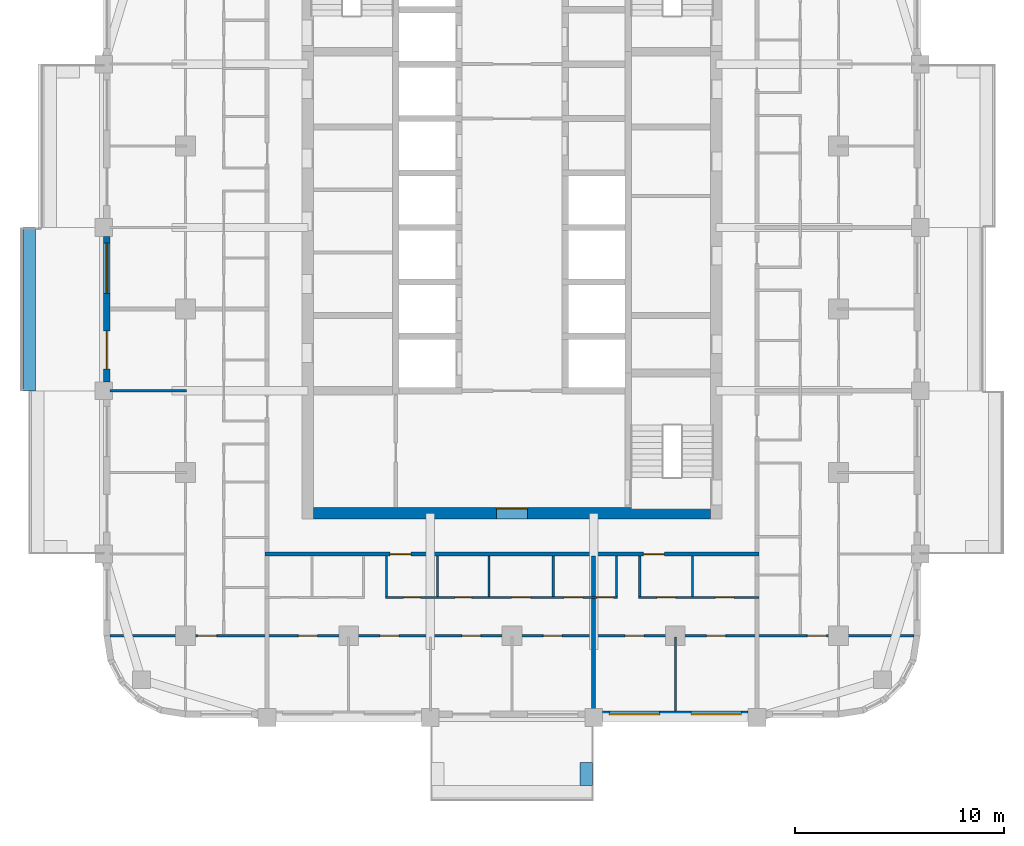
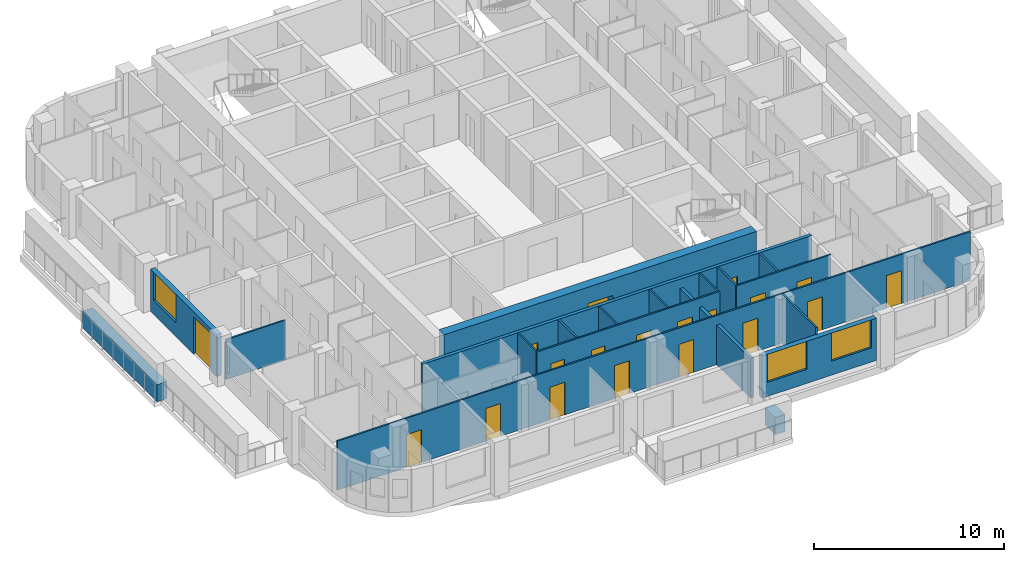
# One storey, part 3 of 14: 19 doors, 19 walls, 3 windows, 22 openings.
"""IFC4 building model written with IfcOpenShell, lengths in metres."""

from ifc_helpers import new_model, si_unit, direction, frame, frame_2d, origin, place, context, subcontext, project, spatial, rectangle, extrude, material, layer, layer_set, type_object, element, fill, save


model = new_model("IFC4")

# Units and contexts
model_context = context("Model", 3, precision=1e-05, world=origin(), true_north=direction((0.0, 1.0)))
body_context = subcontext(model_context, "Body", "Model", "MODEL_VIEW")
ifc_project = project(units=[si_unit("LENGTHUNIT", "METRE"), si_unit("AREAUNIT", "SQUARE_METRE"), si_unit("VOLUMEUNIT", "CUBIC_METRE"), si_unit("PLANEANGLEUNIT", "RADIAN"), si_unit("MASSUNIT", "GRAM", prefix="KILO")], contexts=[model_context])

# Site, building, storey
site_placement = place(None, origin())
site = spatial("IfcSite", under=ifc_project, at=site_placement, CompositionType="ELEMENT")
building_placement = place(site_placement, origin())
building = spatial("IfcBuilding", under=site, at=building_placement, Name="Ludao Terraces", CompositionType="ELEMENT")
storey_placement = place(building_placement, frame((0.0, 0.0, 99.89990234375)))
storey = spatial("IfcBuildingStorey", under=building, at=storey_placement, Name="L27", CompositionType="ELEMENT", Elevation=99.89990234375)

# Wall, opening, door
ifc_material_1 = material(Name="Concrete C60", Category="concrete")
ifc_layer_1 = layer(ifc_material_1, 0.550048828125)
ifc_layer_set_1 = layer_set([ifc_layer_1], Name="Core wall 550 C60")
wall_type_1 = type_object("IfcWallType", Name="Core wall 550 C60", PredefinedType="SOLIDWALL", material=ifc_layer_set_1)
wall_1_placement = place(storey_placement, frame((75.52490234375, 55.25, -0.2998046875), z_axis=(0.0, 0.0, 1.0), x_axis=(1.0, 0.0, 0.0)))
wall_1 = element("IfcWall", 1, at=wall_1_placement, inside=storey, type_object=wall_type_1, Name="Core wall L27 outer-S", PredefinedType="SOLIDWALL", context=body_context, shape_type="SweptSolid", body=[
    extrude(rectangle(XDim=18.9501953125, YDim=0.550048828125, at=frame_2d((9.47509765625, 0.0))), origin(), (0.0, 0.0, 1.0), 3.449951171875),
])
opening_1_placement = place(wall_1_placement, frame((8.72509765625, 0.0, 0.300048828125)))
opening_1 = element("IfcOpeningElement", 2, at=opening_1_placement, cuts=wall_1, Name="Opening R08-029", PredefinedType="OPENING", context=body_context, shape_type="SweptSolid", body=[
    extrude(rectangle(XDim=1.5, YDim=2.10009765625, at=frame_2d((0.75, 1.050048828125))), frame((0.0, 0.28515625, 0.0), z_axis=(0.0, -1.0, 0.0), x_axis=(1.0, 0.0, 0.0)), (0.0, 0.0, 1.0), 0.570068359375),
])
ifc_material_2 = material(Name="Steel Q235", Category="steel")
door_type_1 = type_object("IfcDoorType", Name="INT Lobby door 1500", OperationType="DOUBLE_DOOR_SINGLE_SWING", PredefinedType="DOOR", material=ifc_material_2)
door_1_placement = place(opening_1_placement, origin())
door_1 = element("IfcDoor", 3, at=door_1_placement, inside=storey, type_object=door_type_1, Name="DOOR 029", OperationType="DOUBLE_DOOR_SINGLE_SWING", OverallHeight=2.10009765625, OverallWidth=1.5, PredefinedType="DOOR", context=body_context, shape_type="SweptSolid", body=[
    extrude(rectangle(XDim=1.5, YDim=2.10009765625, at=frame_2d((0.75, 1.050048828125))), frame((0.0, 0.26025390625, 0.0), z_axis=(0.0, -1.0, 0.0), x_axis=(1.0, 0.0, 0.0)), (0.0, 0.0, 1.0), 0.050048828125),
])
fill(opening_1, door_1)

# Walls
ifc_material_3 = material(Name="Concrete C40", Category="concrete")
ifc_layer_2 = layer(ifc_material_3, 0.60009765625)
ifc_layer_set_2 = layer_set([ifc_layer_2], Name="ENV Planter trough 600")
wall_type_2 = type_object("IfcWallType", Name="ENV Planter trough 600", PredefinedType="USERDEFINED", material=ifc_layer_set_2)
wall_2_placement = place(storey_placement, frame((88.550048828125, 42.25, 0.0), z_axis=(0.0, 0.0, 1.0), x_axis=(0.0, 1.0, 0.0)))
element("IfcWall", 4, at=wall_2_placement, inside=storey, type_object=wall_type_2, Name="PL-L27-S1-SB", ObjectType="PLANTER", PredefinedType="USERDEFINED", context=body_context, shape_type="SweptSolid", body=[
    extrude(rectangle(XDim=1.10009765625, YDim=0.60009765625, at=frame_2d((0.550048828125, 0.0))), origin(), (0.0, 0.0, 1.0), 1.10009765625),
])
wall_3_placement = place(storey_placement, frame((61.949951171875, 61.10009765625, 0.0), z_axis=(0.0, 0.0, 1.0), x_axis=(0.0, 1.0, 0.0)))
element("IfcWall", 5, at=wall_3_placement, inside=storey, type_object=wall_type_2, Name="PL-L27-W2", ObjectType="PLANTER", PredefinedType="USERDEFINED", context=body_context, shape_type="SweptSolid", body=[
    extrude(rectangle(XDim=7.7998046875, YDim=0.60009765625, at=frame_2d((3.89990234375, 0.0))), origin(), (0.0, 0.0, 1.0), 1.10009765625),
])

# Wall, openings, windows
ifc_material_4 = material(Name="Granite cladding", Category="masonry")
ifc_layer_3 = layer(ifc_material_4, 0.0400390625, Category="stone")
ifc_material_5 = material(Name="Mineral wool")
ifc_layer_4 = layer(ifc_material_5, 0.06005859375)
ifc_layer_5 = layer(ifc_material_3, 0.199951171875, Category="concrete")
ifc_layer_set_3 = layer_set([ifc_layer_3, ifc_layer_4, ifc_layer_5], Name="ENV Stone-clad wall 300")
wall_type_3 = type_object("IfcWallType", Name="ENV Stone-clad wall 300", PredefinedType="SOLIDWALL", material=ifc_layer_set_3)
wall_4_placement = place(storey_placement, frame((89.324951171875, 45.64990234375, 0.0), z_axis=(0.0, 0.0, 1.0), x_axis=(1.0, 0.0, 0.0)))
wall_4 = element("IfcWall", 6, at=wall_4_placement, inside=storey, type_object=wall_type_3, Name="EW-L27-S4", PredefinedType="SOLIDWALL", context=body_context, shape_type="SweptSolid", body=[
    extrude(rectangle(XDim=6.949951171875, YDim=0.300048828125, at=frame_2d((3.47509765625, 0.0))), origin(), (0.0, 0.0, 1.0), 2.7001953125),
])
opening_2_placement = place(wall_4_placement, frame((0.324951171875, 0.0, 0.89990234375)))
opening_2 = element("IfcOpeningElement", 7, at=opening_2_placement, cuts=wall_4, Name="Opening W1", PredefinedType="OPENING", context=body_context, shape_type="SweptSolid", body=[
    extrude(rectangle(XDim=2.39990234375, YDim=1.800048828125, at=frame_2d((1.199951171875, 0.89990234375))), frame((0.0, 0.16015625, 0.0), z_axis=(0.0, -1.0, 0.0), x_axis=(1.0, 0.0, 0.0)), (0.0, 0.0, 1.0), 0.320068359375),
])
opening_3_placement = place(wall_4_placement, frame((4.22509765625, 0.0, 0.89990234375)))
opening_3 = element("IfcOpeningElement", 8, at=opening_3_placement, cuts=wall_4, Name="Opening W1", PredefinedType="OPENING", context=body_context, shape_type="SweptSolid", body=[
    extrude(rectangle(XDim=2.39990234375, YDim=1.800048828125, at=frame_2d((1.199951171875, 0.89990234375))), frame((0.0, 0.16015625, 0.0), z_axis=(0.0, -1.0, 0.0), x_axis=(1.0, 0.0, 0.0)), (0.0, 0.0, 1.0), 0.320068359375),
])
ifc_material_6 = material(Name="Clear glass in aluminium frame", Category="aluminium")
ifc_layer_6 = layer(ifc_material_6, 0.06005859375)
ifc_layer_set_4 = layer_set([ifc_layer_6], Name="ENV Window W1 2400x1800")
window_type = type_object("IfcWindowType", Name="ENV Window W1 2400x1800", PartitioningType="DOUBLE_PANEL_VERTICAL", PredefinedType="WINDOW", material=ifc_layer_set_4)
window_1_placement = place(opening_2_placement, origin())
window_1 = element("IfcWindow", 9, at=window_1_placement, inside=storey, type_object=window_type, Name="W-L27-S4-1", OverallHeight=1.800048828125, OverallWidth=2.39990234375, PartitioningType="DOUBLE_PANEL_VERTICAL", PredefinedType="WINDOW", context=body_context, shape_type="SweptSolid", body=[
    extrude(rectangle(XDim=2.39990234375, YDim=1.800048828125, at=frame_2d((1.199951171875, 0.89990234375))), frame((0.0, 0.030029296875, 0.0), z_axis=(0.0, -1.0, 0.0), x_axis=(1.0, 0.0, 0.0)), (0.0, 0.0, 1.0), 0.06005859375),
])
fill(opening_2, window_1)
window_2_placement = place(opening_3_placement, origin())
window_2 = element("IfcWindow", 10, at=window_2_placement, inside=storey, type_object=window_type, Name="W-L27-S4-2", OverallHeight=1.800048828125, OverallWidth=2.39990234375, PartitioningType="DOUBLE_PANEL_VERTICAL", PredefinedType="WINDOW", context=body_context, shape_type="SweptSolid", body=[
    extrude(rectangle(XDim=2.39990234375, YDim=1.800048828125, at=frame_2d((1.199951171875, 0.89990234375))), frame((0.0, 0.030029296875, 0.0), z_axis=(0.0, -1.0, 0.0), x_axis=(1.0, 0.0, 0.0)), (0.0, 0.0, 1.0), 0.06005859375),
])
fill(opening_3, window_2)

# Wall, openings, door, window
wall_5_placement = place(storey_placement, frame((65.64990234375, 61.52490234375, 0.0), z_axis=(0.0, 0.0, 1.0), x_axis=(0.0, 1.0, 0.0)))
wall_5 = element("IfcWall", 11, at=wall_5_placement, inside=storey, type_object=wall_type_3, Name="EW-L27-W3", PredefinedType="SOLIDWALL", context=body_context, shape_type="SweptSolid", body=[
    extrude(rectangle(XDim=6.9501953125, YDim=0.300048828125, at=frame_2d((3.47509765625, 0.0))), origin(), (0.0, 0.0, 1.0), 2.7001953125),
])
opening_4_placement = place(wall_5_placement, frame((0.625, 0.0, 0.0)))
opening_4 = element("IfcOpeningElement", 12, at=opening_4_placement, cuts=wall_5, Name="Opening BD", PredefinedType="OPENING", context=body_context, shape_type="SweptSolid", body=[
    extrude(rectangle(XDim=1.800048828125, YDim=2.39990234375, at=frame_2d((0.89990234375, 1.199951171875))), frame((0.0, 0.16015625, 0.0), z_axis=(0.0, -1.0, 0.0), x_axis=(1.0, 0.0, 0.0)), (0.0, 0.0, 1.0), 0.320068359375),
])
opening_5_placement = place(wall_5_placement, frame((4.22509765625, 0.0, 0.89990234375)))
opening_5 = element("IfcOpeningElement", 13, at=opening_5_placement, cuts=wall_5, Name="Opening W1", PredefinedType="OPENING", context=body_context, shape_type="SweptSolid", body=[
    extrude(rectangle(XDim=2.39990234375, YDim=1.800048828125, at=frame_2d((1.199951171875, 0.89990234375))), frame((0.0, 0.16015625, 0.0), z_axis=(0.0, -1.0, 0.0), x_axis=(1.0, 0.0, 0.0)), (0.0, 0.0, 1.0), 0.320068359375),
])
ifc_material_7 = material(Name="Aluminium glazed door", Category="aluminium")
ifc_layer_7 = layer(ifc_material_7, 0.06005859375)
ifc_layer_set_5 = layer_set([ifc_layer_7], Name="ENV Balcony door BD 1800x2400")
door_type_2 = type_object("IfcDoorType", Name="ENV Balcony door BD 1800x2400", OperationType="DOUBLE_DOOR_SINGLE_SWING", PredefinedType="DOOR", material=ifc_layer_set_5)
door_2_placement = place(opening_4_placement, origin())
door_2 = element("IfcDoor", 14, at=door_2_placement, inside=storey, type_object=door_type_2, Name="BD-L27-W3-1", OperationType="DOUBLE_DOOR_SINGLE_SWING", OverallHeight=2.39990234375, OverallWidth=1.800048828125, PredefinedType="DOOR", context=body_context, shape_type="SweptSolid", body=[
    extrude(rectangle(XDim=1.800048828125, YDim=2.39990234375, at=frame_2d((0.89990234375, 1.199951171875))), frame((0.0, 0.02490234375, 0.0), z_axis=(0.0, -1.0, 0.0), x_axis=(1.0, 0.0, 0.0)), (0.0, 0.0, 1.0), 0.050048828125),
])
fill(opening_4, door_2)
window_3_placement = place(opening_5_placement, origin())
window_3 = element("IfcWindow", 15, at=window_3_placement, inside=storey, type_object=window_type, Name="W-L27-W3-2", OverallHeight=1.800048828125, OverallWidth=2.39990234375, PartitioningType="DOUBLE_PANEL_VERTICAL", PredefinedType="WINDOW", context=body_context, shape_type="SweptSolid", body=[
    extrude(rectangle(XDim=2.39990234375, YDim=1.800048828125, at=frame_2d((1.199951171875, 0.89990234375))), frame((0.0, 0.030029296875, 0.0), z_axis=(0.0, -1.0, 0.0), x_axis=(1.0, 0.0, 0.0)), (0.0, 0.0, 1.0), 0.06005859375),
])
fill(opening_5, window_3)

# Wall, openings, doors
ifc_material_8 = material(Name="Autoclaved aerated concrete block B06 A3.5", Category="concrete")
ifc_layer_8 = layer(ifc_material_8, 0.199951171875)
ifc_layer_set_6 = layer_set([ifc_layer_8], Name="INT Entrance wall 200")
wall_type_4 = type_object("IfcWallType", Name="INT Entrance wall 200", PredefinedType="PARTITIONING", material=ifc_layer_set_6)
wall_6_placement = place(storey_placement, frame((73.2001953125, 53.300048828125, 0.0), z_axis=(0.0, 0.0, 1.0), x_axis=(1.0, 0.0, 0.0)))
wall_6 = element("IfcWall", 16, at=wall_6_placement, inside=storey, type_object=wall_type_4, Name="PW-L27-PW007", PredefinedType="PARTITIONING", context=body_context, shape_type="SweptSolid", body=[
    extrude(rectangle(XDim=23.599853515625, YDim=0.199951171875, at=frame_2d((11.7998046875, 0.0))), origin(), (0.0, 0.0, 1.0), 3.150146484375),
])
opening_6_placement = place(wall_6_placement, frame((5.974853515625, 0.0, 0.0)))
opening_6 = element("IfcOpeningElement", 17, at=opening_6_placement, cuts=wall_6, Name="Opening R08-026", PredefinedType="OPENING", context=body_context, shape_type="SweptSolid", body=[
    extrude(rectangle(XDim=1.0, YDim=2.10009765625, at=frame_2d((0.5, 1.050048828125))), frame((0.0, 0.10986328125, 0.0), z_axis=(0.0, -1.0, 0.0), x_axis=(1.0, 0.0, 0.0)), (0.0, 0.0, 1.0), 0.219970703125),
])
opening_7_placement = place(wall_6_placement, frame((18.074951171875, 0.0, 0.0)))
opening_7 = element("IfcOpeningElement", 18, at=opening_7_placement, cuts=wall_6, Name="Opening R08-027", PredefinedType="OPENING", context=body_context, shape_type="SweptSolid", body=[
    extrude(rectangle(XDim=1.0, YDim=2.10009765625, at=frame_2d((0.5, 1.050048828125))), frame((0.0, 0.10986328125, 0.0), z_axis=(0.0, -1.0, 0.0), x_axis=(1.0, 0.0, 0.0)), (0.0, 0.0, 1.0), 0.219970703125),
])
door_type_3 = type_object("IfcDoorType", Name="INT Flat entrance door 1000", OperationType="SINGLE_SWING_LEFT", PredefinedType="DOOR", material=ifc_material_2)
door_3_placement = place(opening_6_placement, origin())
door_3 = element("IfcDoor", 19, at=door_3_placement, inside=storey, type_object=door_type_3, Name="DOOR 026", OperationType="SINGLE_SWING_LEFT", OverallHeight=2.10009765625, OverallWidth=1.0, PredefinedType="DOOR", context=body_context, shape_type="SweptSolid", body=[
    extrude(rectangle(XDim=1.0, YDim=2.10009765625, at=frame_2d((0.5, 1.050048828125))), frame((0.0, 0.02490234375, 0.0), z_axis=(0.0, -1.0, 0.0), x_axis=(1.0, 0.0, 0.0)), (0.0, 0.0, 1.0), 0.050048828125),
])
fill(opening_6, door_3)
door_4_placement = place(opening_7_placement, origin())
door_4 = element("IfcDoor", 20, at=door_4_placement, inside=storey, type_object=door_type_3, Name="DOOR 027", OperationType="SINGLE_SWING_LEFT", OverallHeight=2.10009765625, OverallWidth=1.0, PredefinedType="DOOR", context=body_context, shape_type="SweptSolid", body=[
    extrude(rectangle(XDim=1.0, YDim=2.10009765625, at=frame_2d((0.5, 1.050048828125))), frame((0.0, 0.02490234375, 0.0), z_axis=(0.0, -1.0, 0.0), x_axis=(1.0, 0.0, 0.0)), (0.0, 0.0, 1.0), 0.050048828125),
])
fill(opening_7, door_4)

ifc_material_9 = material(Name="Gypsum plasterboard", Category="gypsum")
ifc_layer_9 = layer(ifc_material_9, 0.012451171875, Category="gypsum")
ifc_layer_10 = layer(ifc_material_5, 0.06005859375, Name="insulation")
ifc_layer_11 = layer(ifc_material_2, 0.014892578125, Name="stud")
ifc_layer_12 = layer(ifc_material_9, 0.012451171875, Category="gypsum")
ifc_layer_set_7 = layer_set([ifc_layer_9, ifc_layer_10, ifc_layer_11, ifc_layer_12], Name="INT Partition 100")
wall_type_5 = type_object("IfcWallType", Name="INT Partition 100", PredefinedType="PARTITIONING", material=ifc_layer_set_7)
wall_7_placement = place(storey_placement, frame((65.800048828125, 49.39990234375, 0.0), z_axis=(0.0, 0.0, 1.0), x_axis=(1.0, 0.0, 0.0)))
wall_7 = element("IfcWall", 21, at=wall_7_placement, inside=storey, type_object=wall_type_5, Name="PW-L27-PW000", PredefinedType="PARTITIONING", context=body_context, shape_type="SweptSolid", body=[
    extrude(rectangle(XDim=38.400146484375, YDim=0.10009765625, at=frame_2d((19.2001953125, 0.0))), origin(), (0.0, 0.0, 1.0), 3.150146484375),
])
opening_8_placement = place(wall_7_placement, frame((4.18994140625, 0.0, 0.0)))
opening_8 = element("IfcOpeningElement", 22, at=opening_8_placement, cuts=wall_7, Name="Opening R08-003", PredefinedType="OPENING", context=body_context, shape_type="SweptSolid", body=[
    extrude(rectangle(XDim=0.89990234375, YDim=2.10009765625, at=frame_2d((0.449951171875, 1.050048828125))), frame((0.0, 0.06005859375, 0.0), z_axis=(0.0, -1.0, 0.0), x_axis=(1.0, 0.0, 0.0)), (0.0, 0.0, 1.0), 0.1201171875),
])
opening_9_placement = place(wall_7_placement, frame((9.0, 0.0, 0.0)))
opening_9 = element("IfcOpeningElement", 23, at=opening_9_placement, cuts=wall_7, Name="Opening R08-004", PredefinedType="OPENING", context=body_context, shape_type="SweptSolid", body=[
    extrude(rectangle(XDim=0.89990234375, YDim=2.10009765625, at=frame_2d((0.449951171875, 1.050048828125))), frame((0.0, 0.06005859375, 0.0), z_axis=(0.0, -1.0, 0.0), x_axis=(1.0, 0.0, 0.0)), (0.0, 0.0, 1.0), 0.1201171875),
])
opening_10_placement = place(wall_7_placement, frame((12.89990234375, 0.0, 0.0)))
opening_10 = element("IfcOpeningElement", 24, at=opening_10_placement, cuts=wall_7, Name="Opening R08-005", PredefinedType="OPENING", context=body_context, shape_type="SweptSolid", body=[
    extrude(rectangle(XDim=0.89990234375, YDim=2.10009765625, at=frame_2d((0.449951171875, 1.050048828125))), frame((0.0, 0.06005859375, 0.0), z_axis=(0.0, -1.0, 0.0), x_axis=(1.0, 0.0, 0.0)), (0.0, 0.0, 1.0), 0.1201171875),
])
opening_11_placement = place(wall_7_placement, frame((16.800048828125, 0.0, 0.0)))
opening_11 = element("IfcOpeningElement", 25, at=opening_11_placement, cuts=wall_7, Name="Opening R08-006", PredefinedType="OPENING", context=body_context, shape_type="SweptSolid", body=[
    extrude(rectangle(XDim=0.89990234375, YDim=2.10009765625, at=frame_2d((0.449951171875, 1.050048828125))), frame((0.0, 0.06005859375, 0.0), z_axis=(0.0, -1.0, 0.0), x_axis=(1.0, 0.0, 0.0)), (0.0, 0.0, 1.0), 0.1201171875),
])
opening_12_placement = place(wall_7_placement, frame((20.699951171875, 0.0, 0.0)))
opening_12 = element("IfcOpeningElement", 26, at=opening_12_placement, cuts=wall_7, Name="Opening R08-007", PredefinedType="OPENING", context=body_context, shape_type="SweptSolid", body=[
    extrude(rectangle(XDim=0.89990234375, YDim=2.10009765625, at=frame_2d((0.449951171875, 1.050048828125))), frame((0.0, 0.06005859375, 0.0), z_axis=(0.0, -1.0, 0.0), x_axis=(1.0, 0.0, 0.0)), (0.0, 0.0, 1.0), 0.1201171875),
])
opening_13_placement = place(wall_7_placement, frame((24.60009765625, 0.0, 0.0)))
opening_13 = element("IfcOpeningElement", 27, at=opening_13_placement, cuts=wall_7, Name="Opening R08-008", PredefinedType="OPENING", context=body_context, shape_type="SweptSolid", body=[
    extrude(rectangle(XDim=0.89990234375, YDim=2.10009765625, at=frame_2d((0.449951171875, 1.050048828125))), frame((0.0, 0.06005859375, 0.0), z_axis=(0.0, -1.0, 0.0), x_axis=(1.0, 0.0, 0.0)), (0.0, 0.0, 1.0), 0.1201171875),
])
opening_14_placement = place(wall_7_placement, frame((28.5, 0.0, 0.0)))
opening_14 = element("IfcOpeningElement", 28, at=opening_14_placement, cuts=wall_7, Name="Opening R08-009", PredefinedType="OPENING", context=body_context, shape_type="SweptSolid", body=[
    extrude(rectangle(XDim=0.89990234375, YDim=2.10009765625, at=frame_2d((0.449951171875, 1.050048828125))), frame((0.0, 0.06005859375, 0.0), z_axis=(0.0, -1.0, 0.0), x_axis=(1.0, 0.0, 0.0)), (0.0, 0.0, 1.0), 0.1201171875),
])
opening_15_placement = place(wall_7_placement, frame((33.31005859375, 0.0, 0.0)))
opening_15 = element("IfcOpeningElement", 29, at=opening_15_placement, cuts=wall_7, Name="Opening R08-010", PredefinedType="OPENING", context=body_context, shape_type="SweptSolid", body=[
    extrude(rectangle(XDim=0.89990234375, YDim=2.10009765625, at=frame_2d((0.449951171875, 1.050048828125))), frame((0.0, 0.06005859375, 0.0), z_axis=(0.0, -1.0, 0.0), x_axis=(1.0, 0.0, 0.0)), (0.0, 0.0, 1.0), 0.1201171875),
])
ifc_material_10 = material(Name="Timber door leaf", Category="wood")
door_type_4 = type_object("IfcDoorType", Name="INT Room door 900", OperationType="SINGLE_SWING_LEFT", PredefinedType="DOOR", material=ifc_material_10)
door_5_placement = place(opening_8_placement, origin())
door_5 = element("IfcDoor", 30, at=door_5_placement, inside=storey, type_object=door_type_4, Name="DOOR 003", OperationType="SINGLE_SWING_RIGHT", OverallHeight=2.10009765625, OverallWidth=0.89990234375, PredefinedType="DOOR", context=body_context, shape_type="SweptSolid", body=[
    extrude(rectangle(XDim=0.89990234375, YDim=2.10009765625, at=frame_2d((0.449951171875, 1.050048828125))), frame((0.0, 0.02490234375, 0.0), z_axis=(0.0, -1.0, 0.0), x_axis=(1.0, 0.0, 0.0)), (0.0, 0.0, 1.0), 0.050048828125),
])
fill(opening_8, door_5)
door_6_placement = place(opening_9_placement, origin())
door_6 = element("IfcDoor", 31, at=door_6_placement, inside=storey, type_object=door_type_4, Name="DOOR 004", OperationType="SINGLE_SWING_RIGHT", OverallHeight=2.10009765625, OverallWidth=0.89990234375, PredefinedType="DOOR", context=body_context, shape_type="SweptSolid", body=[
    extrude(rectangle(XDim=0.89990234375, YDim=2.10009765625, at=frame_2d((0.449951171875, 1.050048828125))), frame((0.0, 0.02490234375, 0.0), z_axis=(0.0, -1.0, 0.0), x_axis=(1.0, 0.0, 0.0)), (0.0, 0.0, 1.0), 0.050048828125),
])
fill(opening_9, door_6)
door_7_placement = place(opening_10_placement, origin())
door_7 = element("IfcDoor", 32, at=door_7_placement, inside=storey, type_object=door_type_4, Name="DOOR 005", OperationType="SINGLE_SWING_RIGHT", OverallHeight=2.10009765625, OverallWidth=0.89990234375, PredefinedType="DOOR", context=body_context, shape_type="SweptSolid", body=[
    extrude(rectangle(XDim=0.89990234375, YDim=2.10009765625, at=frame_2d((0.449951171875, 1.050048828125))), frame((0.0, 0.02490234375, 0.0), z_axis=(0.0, -1.0, 0.0), x_axis=(1.0, 0.0, 0.0)), (0.0, 0.0, 1.0), 0.050048828125),
])
fill(opening_10, door_7)
door_8_placement = place(opening_11_placement, origin())
door_8 = element("IfcDoor", 33, at=door_8_placement, inside=storey, type_object=door_type_4, Name="DOOR 006", OperationType="SINGLE_SWING_RIGHT", OverallHeight=2.10009765625, OverallWidth=0.89990234375, PredefinedType="DOOR", context=body_context, shape_type="SweptSolid", body=[
    extrude(rectangle(XDim=0.89990234375, YDim=2.10009765625, at=frame_2d((0.449951171875, 1.050048828125))), frame((0.0, 0.02490234375, 0.0), z_axis=(0.0, -1.0, 0.0), x_axis=(1.0, 0.0, 0.0)), (0.0, 0.0, 1.0), 0.050048828125),
])
fill(opening_11, door_8)
door_9_placement = place(opening_12_placement, origin())
door_9 = element("IfcDoor", 34, at=door_9_placement, inside=storey, type_object=door_type_4, Name="DOOR 007", OperationType="SINGLE_SWING_LEFT", OverallHeight=2.10009765625, OverallWidth=0.89990234375, PredefinedType="DOOR", context=body_context, shape_type="SweptSolid", body=[
    extrude(rectangle(XDim=0.89990234375, YDim=2.10009765625, at=frame_2d((0.449951171875, 1.050048828125))), frame((0.0, 0.02490234375, 0.0), z_axis=(0.0, -1.0, 0.0), x_axis=(1.0, 0.0, 0.0)), (0.0, 0.0, 1.0), 0.050048828125),
])
fill(opening_12, door_9)
door_10_placement = place(opening_13_placement, origin())
door_10 = element("IfcDoor", 35, at=door_10_placement, inside=storey, type_object=door_type_4, Name="DOOR 008", OperationType="SINGLE_SWING_RIGHT", OverallHeight=2.10009765625, OverallWidth=0.89990234375, PredefinedType="DOOR", context=body_context, shape_type="SweptSolid", body=[
    extrude(rectangle(XDim=0.89990234375, YDim=2.10009765625, at=frame_2d((0.449951171875, 1.050048828125))), frame((0.0, 0.02490234375, 0.0), z_axis=(0.0, -1.0, 0.0), x_axis=(1.0, 0.0, 0.0)), (0.0, 0.0, 1.0), 0.050048828125),
])
fill(opening_13, door_10)
door_11_placement = place(opening_14_placement, origin())
door_11 = element("IfcDoor", 36, at=door_11_placement, inside=storey, type_object=door_type_4, Name="DOOR 009", OperationType="SINGLE_SWING_RIGHT", OverallHeight=2.10009765625, OverallWidth=0.89990234375, PredefinedType="DOOR", context=body_context, shape_type="SweptSolid", body=[
    extrude(rectangle(XDim=0.89990234375, YDim=2.10009765625, at=frame_2d((0.449951171875, 1.050048828125))), frame((0.0, 0.02490234375, 0.0), z_axis=(0.0, -1.0, 0.0), x_axis=(1.0, 0.0, 0.0)), (0.0, 0.0, 1.0), 0.050048828125),
])
fill(opening_14, door_11)
door_12_placement = place(opening_15_placement, origin())
door_12 = element("IfcDoor", 37, at=door_12_placement, inside=storey, type_object=door_type_4, Name="DOOR 010", OperationType="SINGLE_SWING_LEFT", OverallHeight=2.10009765625, OverallWidth=0.89990234375, PredefinedType="DOOR", context=body_context, shape_type="SweptSolid", body=[
    extrude(rectangle(XDim=0.89990234375, YDim=2.10009765625, at=frame_2d((0.449951171875, 1.050048828125))), frame((0.0, 0.02490234375, 0.0), z_axis=(0.0, -1.0, 0.0), x_axis=(1.0, 0.0, 0.0)), (0.0, 0.0, 1.0), 0.050048828125),
])
fill(opening_15, door_12)

wall_8_placement = place(storey_placement, frame((78.9501953125, 51.22998046875, 0.0), z_axis=(0.0, 0.0, 1.0), x_axis=(1.0, 0.0, 0.0)))
wall_8 = element("IfcWall", 38, at=wall_8_placement, inside=storey, type_object=wall_type_5, Name="PW-L27-PW002", PredefinedType="PARTITIONING", context=body_context, shape_type="SweptSolid", body=[
    extrude(rectangle(XDim=11.099853515625, YDim=0.10009765625, at=frame_2d((5.5498046875, 0.0))), origin(), (0.0, 0.0, 1.0), 3.150146484375),
])
opening_16_placement = place(wall_8_placement, frame((0.875, 0.0, 0.0)))
opening_16 = element("IfcOpeningElement", 39, at=opening_16_placement, cuts=wall_8, Name="Opening R08-015", PredefinedType="OPENING", context=body_context, shape_type="SweptSolid", body=[
    extrude(rectangle(XDim=0.800048828125, YDim=2.10009765625, at=frame_2d((0.39990234375, 1.050048828125))), frame((0.0, 0.06005859375, 0.0), z_axis=(0.0, -1.0, 0.0), x_axis=(1.0, 0.0, 0.0)), (0.0, 0.0, 1.0), 0.1201171875),
])
opening_17_placement = place(wall_8_placement, frame((3.324951171875, 0.0, 0.0)))
opening_17 = element("IfcOpeningElement", 40, at=opening_17_placement, cuts=wall_8, Name="Opening R08-016", PredefinedType="OPENING", context=body_context, shape_type="SweptSolid", body=[
    extrude(rectangle(XDim=0.800048828125, YDim=2.10009765625, at=frame_2d((0.39990234375, 1.050048828125))), frame((0.0, 0.06005859375, 0.0), z_axis=(0.0, -1.0, 0.0), x_axis=(1.0, 0.0, 0.0)), (0.0, 0.0, 1.0), 0.1201171875),
])
opening_18_placement = place(wall_8_placement, frame((6.034912109375, 0.0, 0.0)))
opening_18 = element("IfcOpeningElement", 41, at=opening_18_placement, cuts=wall_8, Name="Opening R08-017", PredefinedType="OPENING", context=body_context, shape_type="SweptSolid", body=[
    extrude(rectangle(XDim=0.89990234375, YDim=2.10009765625, at=frame_2d((0.449951171875, 1.050048828125))), frame((0.0, 0.06005859375, 0.0), z_axis=(0.0, -1.0, 0.0), x_axis=(1.0, 0.0, 0.0)), (0.0, 0.0, 1.0), 0.1201171875),
])
opening_19_placement = place(wall_8_placement, frame((8.534912109375, 0.0, 0.0)))
opening_19 = element("IfcOpeningElement", 42, at=opening_19_placement, cuts=wall_8, Name="Opening R08-018", PredefinedType="OPENING", context=body_context, shape_type="SweptSolid", body=[
    extrude(rectangle(XDim=0.89990234375, YDim=2.10009765625, at=frame_2d((0.449951171875, 1.050048828125))), frame((0.0, 0.06005859375, 0.0), z_axis=(0.0, -1.0, 0.0), x_axis=(1.0, 0.0, 0.0)), (0.0, 0.0, 1.0), 0.1201171875),
])
opening_20_placement = place(wall_8_placement, frame((10.099853515625, 0.0, 0.0)))
opening_20 = element("IfcOpeningElement", 43, at=opening_20_placement, cuts=wall_8, Name="Opening R08-019", PredefinedType="OPENING", context=body_context, shape_type="SweptSolid", body=[
    extrude(rectangle(XDim=0.800048828125, YDim=2.10009765625, at=frame_2d((0.39990234375, 1.050048828125))), frame((0.0, 0.06005859375, 0.0), z_axis=(0.0, -1.0, 0.0), x_axis=(1.0, 0.0, 0.0)), (0.0, 0.0, 1.0), 0.1201171875),
])
door_type_5 = type_object("IfcDoorType", Name="INT Bathroom door 900", OperationType="SINGLE_SWING_LEFT", PredefinedType="DOOR", material=ifc_material_10)
door_13_placement = place(opening_19_placement, origin())
door_13 = element("IfcDoor", 44, at=door_13_placement, inside=storey, type_object=door_type_5, Name="DOOR 018", OperationType="SINGLE_SWING_RIGHT", OverallHeight=2.10009765625, OverallWidth=0.89990234375, PredefinedType="DOOR", context=body_context, shape_type="SweptSolid", body=[
    extrude(rectangle(XDim=0.89990234375, YDim=2.10009765625, at=frame_2d((0.449951171875, 1.050048828125))), frame((0.0, 0.02490234375, 0.0), z_axis=(0.0, -1.0, 0.0), x_axis=(1.0, 0.0, 0.0)), (0.0, 0.0, 1.0), 0.050048828125),
])
fill(opening_19, door_13)
door_14_placement = place(opening_18_placement, origin())
door_14 = element("IfcDoor", 45, at=door_14_placement, inside=storey, type_object=door_type_4, Name="DOOR 017", OperationType="SINGLE_SWING_LEFT", OverallHeight=2.10009765625, OverallWidth=0.89990234375, PredefinedType="DOOR", context=body_context, shape_type="SweptSolid", body=[
    extrude(rectangle(XDim=0.89990234375, YDim=2.10009765625, at=frame_2d((0.449951171875, 1.050048828125))), frame((0.0, 0.02490234375, 0.0), z_axis=(0.0, -1.0, 0.0), x_axis=(1.0, 0.0, 0.0)), (0.0, 0.0, 1.0), 0.050048828125),
])
fill(opening_18, door_14)
door_type_6 = type_object("IfcDoorType", Name="INT Store door 800", OperationType="SINGLE_SWING_LEFT", PredefinedType="DOOR", material=ifc_material_10)
door_15_placement = place(opening_16_placement, origin())
door_15 = element("IfcDoor", 46, at=door_15_placement, inside=storey, type_object=door_type_6, Name="DOOR 015", OperationType="SINGLE_SWING_RIGHT", OverallHeight=2.10009765625, OverallWidth=0.800048828125, PredefinedType="DOOR", context=body_context, shape_type="SweptSolid", body=[
    extrude(rectangle(XDim=0.800048828125, YDim=2.10009765625, at=frame_2d((0.39990234375, 1.050048828125))), frame((0.0, 0.02490234375, 0.0), z_axis=(0.0, -1.0, 0.0), x_axis=(1.0, 0.0, 0.0)), (0.0, 0.0, 1.0), 0.050048828125),
])
fill(opening_16, door_15)
door_16_placement = place(opening_17_placement, origin())
door_16 = element("IfcDoor", 47, at=door_16_placement, inside=storey, type_object=door_type_6, Name="DOOR 016", OperationType="SINGLE_SWING_LEFT", OverallHeight=2.10009765625, OverallWidth=0.800048828125, PredefinedType="DOOR", context=body_context, shape_type="SweptSolid", body=[
    extrude(rectangle(XDim=0.800048828125, YDim=2.10009765625, at=frame_2d((0.39990234375, 1.050048828125))), frame((0.0, 0.02490234375, 0.0), z_axis=(0.0, -1.0, 0.0), x_axis=(1.0, 0.0, 0.0)), (0.0, 0.0, 1.0), 0.050048828125),
])
fill(opening_17, door_16)
door_17_placement = place(opening_20_placement, origin())
door_17 = element("IfcDoor", 48, at=door_17_placement, inside=storey, type_object=door_type_6, Name="DOOR 019", OperationType="SINGLE_SWING_LEFT", OverallHeight=2.10009765625, OverallWidth=0.800048828125, PredefinedType="DOOR", context=body_context, shape_type="SweptSolid", body=[
    extrude(rectangle(XDim=0.800048828125, YDim=2.10009765625, at=frame_2d((0.39990234375, 1.050048828125))), frame((0.0, 0.02490234375, 0.0), z_axis=(0.0, -1.0, 0.0), x_axis=(1.0, 0.0, 0.0)), (0.0, 0.0, 1.0), 0.050048828125),
])
fill(opening_20, door_17)

wall_9_placement = place(storey_placement, frame((91.050048828125, 51.22998046875, 0.0), z_axis=(0.0, 0.0, 1.0), x_axis=(1.0, 0.0, 0.0)))
wall_9 = element("IfcWall", 49, at=wall_9_placement, inside=storey, type_object=wall_type_5, Name="PW-L27-PW003", PredefinedType="PARTITIONING", context=body_context, shape_type="SweptSolid", body=[
    extrude(rectangle(XDim=5.75, YDim=0.10009765625, at=frame_2d((2.875, 0.0))), origin(), (0.0, 0.0, 1.0), 3.150146484375),
])
opening_21_placement = place(wall_9_placement, frame((0.864990234375, 0.0, 0.0)))
opening_21 = element("IfcOpeningElement", 50, at=opening_21_placement, cuts=wall_9, Name="Opening R08-020", PredefinedType="OPENING", context=body_context, shape_type="SweptSolid", body=[
    extrude(rectangle(XDim=0.89990234375, YDim=2.10009765625, at=frame_2d((0.449951171875, 1.050048828125))), frame((0.0, 0.06005859375, 0.0), z_axis=(0.0, -1.0, 0.0), x_axis=(1.0, 0.0, 0.0)), (0.0, 0.0, 1.0), 0.1201171875),
])
opening_22_placement = place(wall_9_placement, frame((3.6650390625, 0.0, 0.0)))
opening_22 = element("IfcOpeningElement", 51, at=opening_22_placement, cuts=wall_9, Name="Opening R08-021", PredefinedType="OPENING", context=body_context, shape_type="SweptSolid", body=[
    extrude(rectangle(XDim=0.89990234375, YDim=2.10009765625, at=frame_2d((0.449951171875, 1.050048828125))), frame((0.0, 0.06005859375, 0.0), z_axis=(0.0, -1.0, 0.0), x_axis=(1.0, 0.0, 0.0)), (0.0, 0.0, 1.0), 0.1201171875),
])
door_18_placement = place(opening_21_placement, origin())
door_18 = element("IfcDoor", 52, at=door_18_placement, inside=storey, type_object=door_type_5, Name="DOOR 020", OperationType="SINGLE_SWING_LEFT", OverallHeight=2.10009765625, OverallWidth=0.89990234375, PredefinedType="DOOR", context=body_context, shape_type="SweptSolid", body=[
    extrude(rectangle(XDim=0.89990234375, YDim=2.10009765625, at=frame_2d((0.449951171875, 1.050048828125))), frame((0.0, 0.02490234375, 0.0), z_axis=(0.0, -1.0, 0.0), x_axis=(1.0, 0.0, 0.0)), (0.0, 0.0, 1.0), 0.050048828125),
])
fill(opening_21, door_18)
door_19_placement = place(opening_22_placement, origin())
door_19 = element("IfcDoor", 53, at=door_19_placement, inside=storey, type_object=door_type_4, Name="DOOR 021", OperationType="SINGLE_SWING_RIGHT", OverallHeight=2.10009765625, OverallWidth=0.89990234375, PredefinedType="DOOR", context=body_context, shape_type="SweptSolid", body=[
    extrude(rectangle(XDim=0.89990234375, YDim=2.10009765625, at=frame_2d((0.449951171875, 1.050048828125))), frame((0.0, 0.02490234375, 0.0), z_axis=(0.0, -1.0, 0.0), x_axis=(1.0, 0.0, 0.0)), (0.0, 0.0, 1.0), 0.050048828125),
])
fill(opening_22, door_19)

# Walls
wall_10_placement = place(storey_placement, frame((65.800048828125, 61.10009765625, 0.0), z_axis=(0.0, 0.0, 1.0), x_axis=(1.0, 0.0, 0.0)))
element("IfcWall", 54, at=wall_10_placement, inside=storey, type_object=wall_type_5, Name="PW-L27-PW018", PredefinedType="PARTITIONING", context=body_context, shape_type="SweptSolid", body=[
    extrude(rectangle(XDim=3.650146484375, YDim=0.10009765625, at=frame_2d((1.8251953125, 0.0))), origin(), (0.0, 0.0, 1.0), 2.550048828125),
])
for number, where, z_axis, x_axis, name in (
    (55, (79.0, 51.280029296875, 0.0), (0.0, 0.0, 1.0), (0.0, 1.0, 0.0), "PW-L27-PW059"),
    (56, (81.449951171875, 51.280029296875, 0.0), (0.0, 0.0, 1.0), (0.0, 1.0, 0.0), "PW-L27-PW062"),
    (57, (83.89990234375, 51.280029296875, 0.0), (0.0, 0.0, 1.0), (0.0, 1.0, 0.0), "PW-L27-PW063"),
    (58, (86.969970703125, 51.280029296875, 0.0), (0.0, 0.0, 1.0), (0.0, 1.0, 0.0), "PW-L27-PW065"),
    (59, (90.0, 51.280029296875, 0.0), (0.0, 0.0, 1.0), (0.0, 1.0, 0.0), "PW-L27-PW067"),
    (60, (91.10009765625, 51.280029296875, 0.0), (0.0, 0.0, 1.0), (0.0, 1.0, 0.0), "PW-L27-PW068"),
):
    element("IfcWall", number, at=place(storey_placement, frame(where, z_axis=z_axis, x_axis=x_axis)), inside=storey, type_object=wall_type_5, Name=name, PredefinedType="PARTITIONING", context=body_context, shape_type="SweptSolid", body=[
        extrude(rectangle(XDim=1.920166015625, YDim=0.10009765625, at=frame_2d((0.9599609375, 0.0))), origin(), (0.0, 0.0, 1.0), 3.150146484375),
    ])
wall_11_placement = place(storey_placement, frame((92.800048828125, 45.800048828125, 0.0), z_axis=(0.0, 0.0, 1.0), x_axis=(0.0, 1.0, 0.0)))
element("IfcWall", 61, at=wall_11_placement, inside=storey, type_object=wall_type_5, Name="PW-L27-PW069", PredefinedType="PARTITIONING", context=body_context, shape_type="SweptSolid", body=[
    extrude(rectangle(XDim=3.550048828125, YDim=0.10009765625, at=frame_2d((1.77490234375, 0.0))), origin(), (0.0, 0.0, 1.0), 3.150146484375),
])
wall_12_placement = place(storey_placement, frame((93.6298828125, 51.280029296875, 0.0), z_axis=(0.0, 0.0, 1.0), x_axis=(0.0, 1.0, 0.0)))
element("IfcWall", 62, at=wall_12_placement, inside=storey, type_object=wall_type_5, Name="PW-L27-PW070", PredefinedType="PARTITIONING", context=body_context, shape_type="SweptSolid", body=[
    extrude(rectangle(XDim=1.920166015625, YDim=0.10009765625, at=frame_2d((0.9599609375, 0.0))), origin(), (0.0, 0.0, 1.0), 3.150146484375),
])
ifc_layer_13 = layer(ifc_material_8, 0.199951171875)
ifc_layer_set_8 = layer_set([ifc_layer_13], Name="INT Party wall 200")
wall_type_6 = type_object("IfcWallType", Name="INT Party wall 200", PredefinedType="PARTITIONING", material=ifc_layer_set_8)
wall_13_placement = place(storey_placement, frame((88.89990234375, 45.800048828125, 0.0), z_axis=(0.0, 0.0, 1.0), x_axis=(0.0, 1.0, 0.0)))
element("IfcWall", 63, at=wall_13_placement, inside=storey, type_object=wall_type_6, Name="PW-L27-PW066", PredefinedType="PARTITIONING", context=body_context, shape_type="SweptSolid", body=[
    extrude(rectangle(XDim=7.400146484375, YDim=0.199951171875, at=frame_2d((3.7001953125, 0.0))), origin(), (0.0, 0.0, 1.0), 2.550048828125),
])

save(model, "model.ifc")
